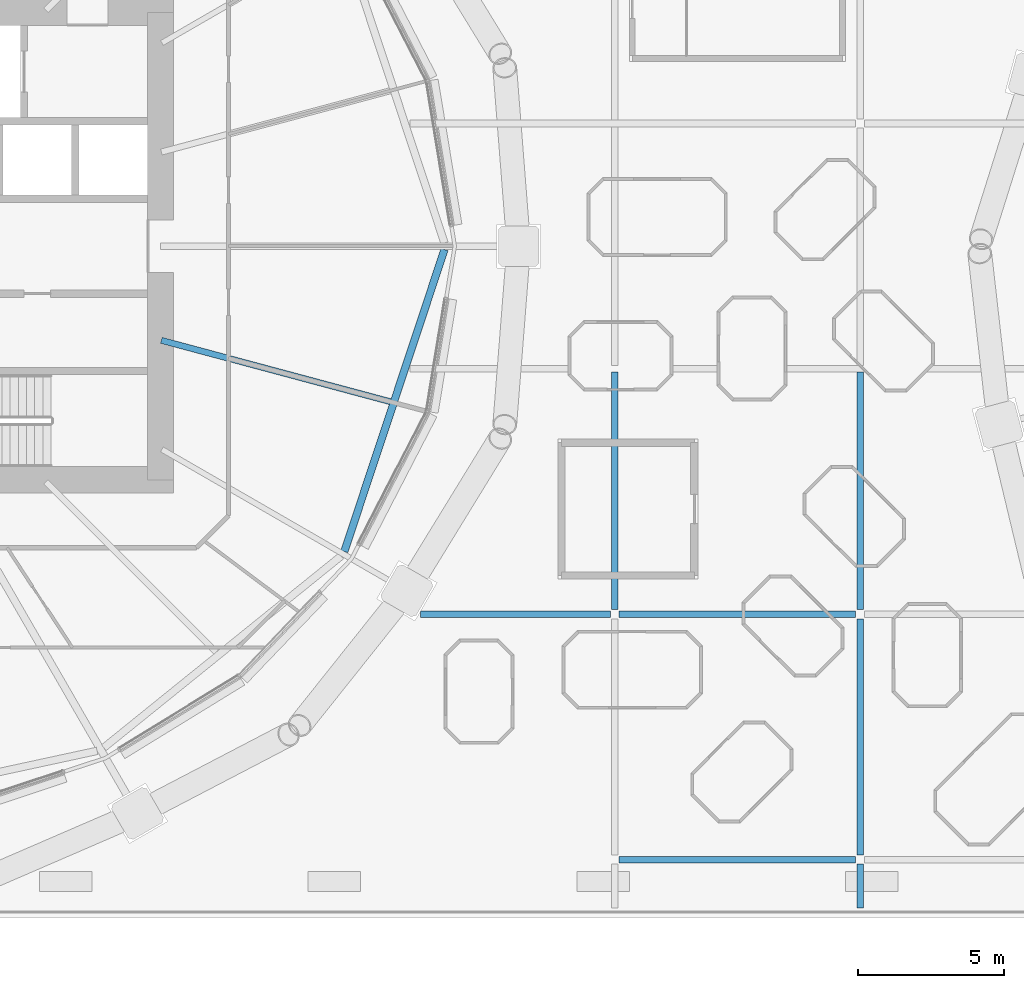
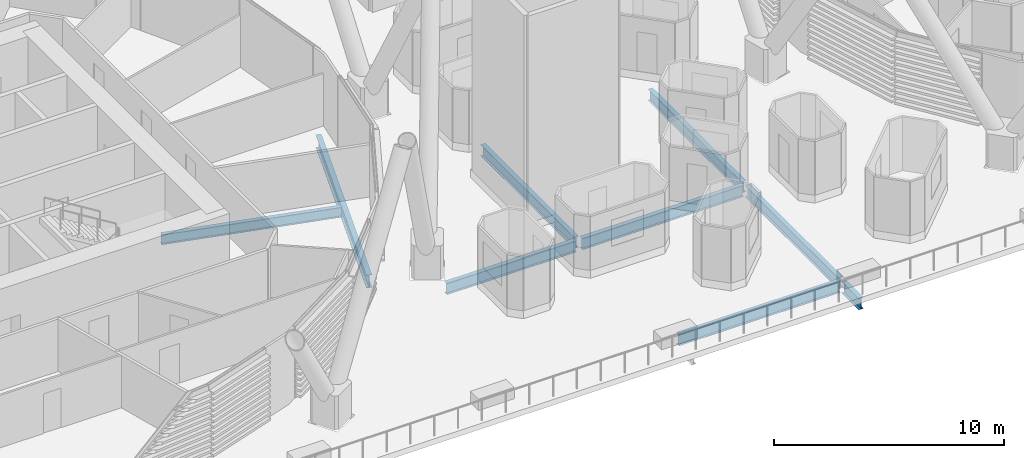
# One storey, part 7 of 47: 9 beams.
"""IFC4 building model written with IfcOpenShell, lengths in metres."""

from ifc_helpers import new_model, si_unit, direction, frame, origin, origin_2d, place, context, subcontext, project, spatial, i_section, extrude, material, material_profile, profile_set, type_object, element, save


model = new_model("IFC4")

# Units and contexts
model_context = context("Model", 3, precision=1e-05, world=origin(), true_north=direction((0.0, 1.0)))
body_context = subcontext(model_context, "Body", "Model", "MODEL_VIEW")
ifc_project = project(units=[si_unit("LENGTHUNIT", "METRE"), si_unit("AREAUNIT", "SQUARE_METRE"), si_unit("VOLUMEUNIT", "CUBIC_METRE"), si_unit("PLANEANGLEUNIT", "RADIAN"), si_unit("MASSUNIT", "GRAM", prefix="KILO")], contexts=[model_context])

# Site, building, storey
site_placement = place(None, origin())
site = spatial("IfcSite", under=ifc_project, at=site_placement, CompositionType="ELEMENT")
building_placement = place(site_placement, origin())
building = spatial("IfcBuilding", under=site, at=building_placement, Name="Rimbun Link Towers", CompositionType="ELEMENT")
storey_placement = place(building_placement, frame((0.0, 0.0, 30.0)))
storey = spatial("IfcBuildingStorey", under=building, at=storey_placement, Name="L06", CompositionType="ELEMENT", Elevation=30.0)

# Beams
ifc_material_1 = material(Name="Steel S355J2", Category="steel")
ifc_material_profile_1 = material_profile(ifc_material_1, i_section(OverallWidth=0.209228515625, OverallDepth=0.533203125, WebThickness=0.010009765625, FlangeThickness=0.015625, at=origin_2d()), Name="UB 533x210x92")
ifc_profile_set_1 = profile_set([ifc_material_profile_1], Name="Steel S355J2")
beam_type_1 = type_object("IfcBeamType", Name="UB 533x210x92", PredefinedType="BEAM", material=ifc_profile_set_1)
beam_1_placement = place(storey_placement, frame((-19.721923828125, -3.222900390625, -0.56640625), z_axis=(0.965927890386, -0.258811341663, 0.0), x_axis=(0.258811341663, 0.965927890386, 0.0)))
element("IfcBeam", 1, at=beam_1_placement, inside=storey, type_object=beam_type_1, Name="Radial beam T1 L06 23", PredefinedType="BEAM", context=body_context, shape_type="SweptSolid", body=[
    extrude(i_section(OverallWidth=0.209228515625, OverallDepth=0.533203125, WebThickness=0.010009765625, FlangeThickness=0.015625, at=origin_2d()), origin(), (0.0, 0.0, 1.0), 8.10791015625),
])
ifc_material_2 = material(Name="Steel S355J2", Category="steel")
ifc_material_profile_2 = material_profile(ifc_material_2, i_section(OverallWidth=0.2275390625, OverallDepth=0.6025390625, WebThickness=0.010498046875, FlangeThickness=0.014892578125, at=origin_2d()), Name="UB 610x229x101")
ifc_profile_set_2 = profile_set([ifc_material_profile_2], Name="Steel S355J2")
beam_type_2 = type_object("IfcBeamType", Name="UB 610x229x101", PredefinedType="BEAM", material=ifc_profile_set_2)
beam_2_placement = place(storey_placement, frame((-4.04638671875, -21.0, -0.601318359375), z_axis=(1.0, 0.0, 0.0), x_axis=(0.0, 1.0, 0.0)))
element("IfcBeam", 2, at=beam_2_placement, inside=storey, type_object=beam_type_2, Name="Grid beam L06 -21.0", PredefinedType="BEAM", context=body_context, shape_type="SweptSolid", body=[
    extrude(i_section(OverallWidth=0.2275390625, OverallDepth=0.6025390625, WebThickness=0.010498046875, FlangeThickness=0.014892578125, at=origin_2d()), origin(), (0.0, 0.0, 1.0), 8.0927734375),
])
beam_3_placement = place(storey_placement, frame((-10.841796875, -12.60009765625, -0.601318359375), z_axis=(1.0, 0.0, 0.0), x_axis=(0.0, 1.0, 0.0)))
element("IfcBeam", 3, at=beam_3_placement, inside=storey, type_object=beam_type_2, Name="Grid beam L06 -12.6", PredefinedType="BEAM", context=body_context, shape_type="SweptSolid", body=[
    extrude(i_section(OverallWidth=0.2275390625, OverallDepth=0.6025390625, WebThickness=0.010498046875, FlangeThickness=0.014892578125, at=origin_2d()), origin(), (0.0, 0.0, 1.0), 6.488037109375),
])
beam_4_placement = place(storey_placement, frame((-4.04638671875, -12.60009765625, -0.601318359375), z_axis=(1.0, 0.0, 0.0), x_axis=(0.0, 1.0, 0.0)))
element("IfcBeam", 4, at=beam_4_placement, inside=storey, type_object=beam_type_2, Name="Grid beam L06 -12.6", PredefinedType="BEAM", context=body_context, shape_type="SweptSolid", body=[
    extrude(i_section(OverallWidth=0.2275390625, OverallDepth=0.6025390625, WebThickness=0.010498046875, FlangeThickness=0.014892578125, at=origin_2d()), origin(), (0.0, 0.0, 1.0), 8.0927734375),
])
beam_5_placement = place(storey_placement, frame((-4.199951171875, -12.44287109375, -0.601318359375), z_axis=(0.0, 1.0, 0.0), x_axis=(-1.0, 0.0, 0.0)))
element("IfcBeam", 5, at=beam_5_placement, inside=storey, type_object=beam_type_2, Name="Grid beam L06 -4.2", PredefinedType="BEAM", context=body_context, shape_type="SweptSolid", body=[
    extrude(i_section(OverallWidth=0.2275390625, OverallDepth=0.6025390625, WebThickness=0.010498046875, FlangeThickness=0.014892578125, at=origin_2d()), origin(), (0.0, 0.0, 1.0), 8.129150390625),
])
beam_6_placement = place(storey_placement, frame((4.199951171875, -22.64892578125, -0.601318359375), z_axis=(0.0, 1.0, 0.0), x_axis=(-1.0, 0.0, 0.0)))
element("IfcBeam", 6, at=beam_6_placement, inside=storey, type_object=beam_type_2, Name="Grid beam L06 +4.2", PredefinedType="BEAM", context=body_context, shape_type="SweptSolid", body=[
    extrude(i_section(OverallWidth=0.2275390625, OverallDepth=0.6025390625, WebThickness=0.010498046875, FlangeThickness=0.014892578125, at=origin_2d()), origin(), (0.0, 0.0, 1.0), 1.49169921875),
])
beam_7_placement = place(storey_placement, frame((4.199951171875, -20.8427734375, -0.601318359375), z_axis=(0.0, 1.0, 0.0), x_axis=(-1.0, 0.0, 0.0)))
element("IfcBeam", 7, at=beam_7_placement, inside=storey, type_object=beam_type_2, Name="Grid beam L06 +4.2", PredefinedType="BEAM", context=body_context, shape_type="SweptSolid", body=[
    extrude(i_section(OverallWidth=0.2275390625, OverallDepth=0.6025390625, WebThickness=0.010498046875, FlangeThickness=0.014892578125, at=origin_2d()), origin(), (0.0, 0.0, 1.0), 8.085693359375),
])
beam_8_placement = place(storey_placement, frame((4.199951171875, -12.44287109375, -0.601318359375), z_axis=(0.0, 1.0, 0.0), x_axis=(-1.0, 0.0, 0.0)))
element("IfcBeam", 8, at=beam_8_placement, inside=storey, type_object=beam_type_2, Name="Grid beam L06 +4.2", PredefinedType="BEAM", context=body_context, shape_type="SweptSolid", body=[
    extrude(i_section(OverallWidth=0.2275390625, OverallDepth=0.6025390625, WebThickness=0.010498046875, FlangeThickness=0.014892578125, at=origin_2d()), origin(), (0.0, 0.0, 1.0), 8.129150390625),
])
ifc_material_3 = material(Name="Steel S355J2", Category="steel")
ifc_material_profile_3 = material_profile(ifc_material_3, i_section(OverallWidth=0.253662109375, OverallDepth=0.68359375, WebThickness=0.012451171875, FlangeThickness=0.01904296875, at=origin_2d()), Name="UB 686x254x140")
ifc_profile_set_3 = profile_set([ifc_material_profile_3], Name="Steel S355J2")
beam_type_3 = type_object("IfcBeamType", Name="UB 686x254x140", PredefinedType="BEAM", material=ifc_profile_set_3)
beam_9_placement = place(storey_placement, frame((-13.457275390625, -10.450439453125, -0.641845703125), z_axis=(0.314841882336, 0.949144135064, 0.0), x_axis=(-0.949144135064, 0.314841882336, 0.0)))
element("IfcBeam", 9, at=beam_9_placement, inside=storey, type_object=beam_type_3, Name="Edge beam T1 L06 22-00", PredefinedType="BEAM", context=body_context, shape_type="SweptSolid", body=[
    extrude(i_section(OverallWidth=0.253662109375, OverallDepth=0.68359375, WebThickness=0.012451171875, FlangeThickness=0.01904296875, at=origin_2d()), origin(), (0.0, 0.0, 1.0), 10.889404296875),
])

save(model, "model.ifc")
